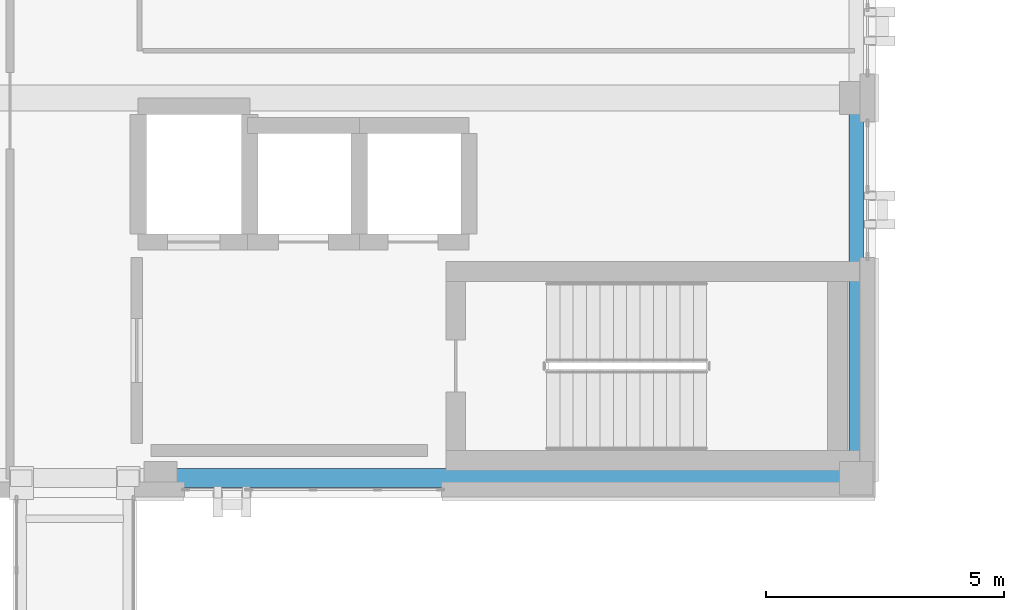
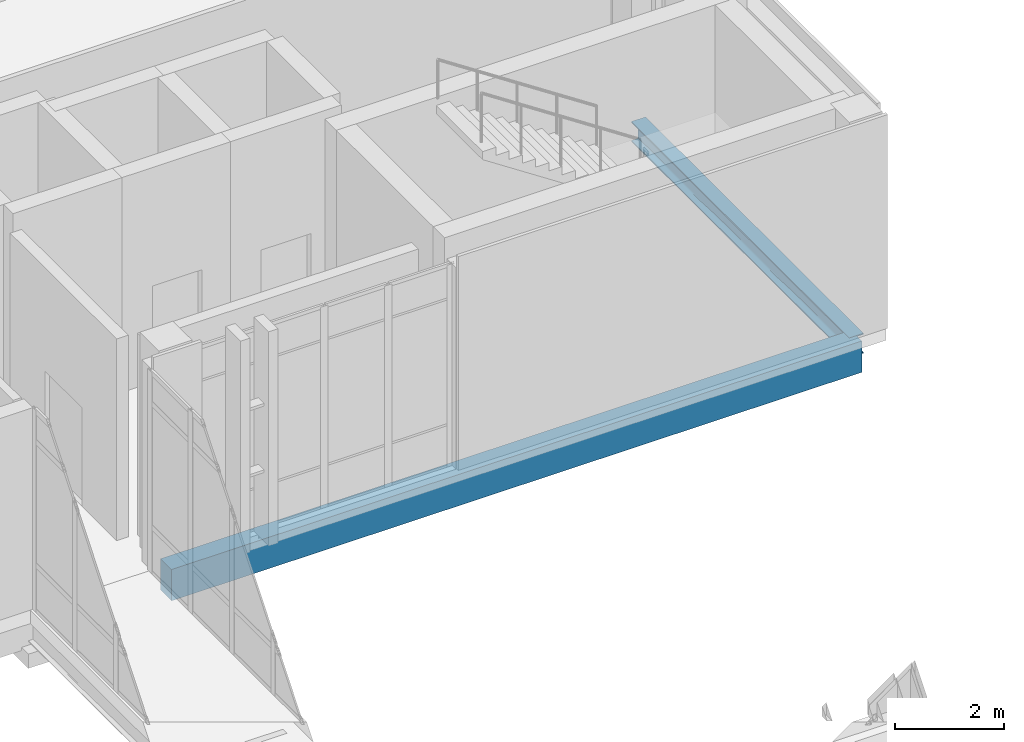
# One storey, part 62 of 189: 2 beams.
"""IFC4 building model written with IfcOpenShell, lengths in metres."""

from ifc_helpers import new_model, si_unit, direction, frame, origin, origin_2d, place, context, subcontext, project, spatial, rectangle, i_section, extrude, material, material_profile, profile_set, type_object, element, save


model = new_model("IFC4")

# Units and contexts
model_context = context("Model", 3, precision=1e-05, world=origin(), true_north=direction((0.0, 1.0)))
body_context = subcontext(model_context, "Body", "Model", "MODEL_VIEW")
ifc_project = project(units=[si_unit("LENGTHUNIT", "METRE"), si_unit("AREAUNIT", "SQUARE_METRE"), si_unit("VOLUMEUNIT", "CUBIC_METRE"), si_unit("PLANEANGLEUNIT", "RADIAN"), si_unit("MASSUNIT", "GRAM", prefix="KILO")], contexts=[model_context])

# Site, building, storey
site_placement = place(None, origin())
site = spatial("IfcSite", under=ifc_project, at=site_placement, CompositionType="ELEMENT")
building_placement = place(site_placement, origin())
building = spatial("IfcBuilding", under=site, at=building_placement, Name="Qalavern Law Courts", CompositionType="ELEMENT")
storey_placement = place(building_placement, frame((0.0, 0.0, 5.39990234375)))
storey = spatial("IfcBuildingStorey", under=building, at=storey_placement, Name="L01", CompositionType="ELEMENT", Elevation=5.39990234375)

# Beams
ifc_material_1 = material(Name="Steel S355", Category="steel")
ifc_material_profile_1 = material_profile(ifc_material_1, i_section(OverallWidth=0.300048828125, OverallDepth=0.449951171875, WebThickness=0.013916015625, FlangeThickness=0.02587890625, FilletRadius=0.027099609375, at=origin_2d()), Name="HEB 450")
ifc_profile_set_1 = profile_set([ifc_material_profile_1], Name="Steel S355")
beam_type_1 = type_object("IfcBeamType", Name="STR-SP-HEB450", PredefinedType="SPANDREL", material=ifc_profile_set_1)
beam_1_placement = place(storey_placement, frame((106.39990234375, 41.419921875, -0.52490234375), z_axis=(0.0, 1.0, 0.0), x_axis=(-1.0, 0.0, 0.0)))
element("IfcBeam", 1, at=beam_1_placement, inside=storey, type_object=beam_type_1, Name="V4 Y-beam 3-1 L01", PredefinedType="SPANDREL", context=body_context, shape_type="SweptSolid", body=[
    extrude(i_section(OverallWidth=0.300048828125, OverallDepth=0.449951171875, WebThickness=0.013916015625, FlangeThickness=0.02587890625, FilletRadius=0.027099609375, at=origin_2d()), origin(), (0.0, 0.0, 1.0), 7.97998046875),
])
ifc_material_2 = material(Name="Concrete C40/50", Category="concrete")
ifc_material_profile_2 = material_profile(ifc_material_2, rectangle(XDim=0.39990234375, YDim=0.699951171875, at=origin_2d()), Name="RC 400x700")
ifc_profile_set_2 = profile_set([ifc_material_profile_2], Name="Concrete C40/50")
beam_type_2 = type_object("IfcBeamType", Name="STR-SP-RC400x700", PredefinedType="SPANDREL", material=ifc_profile_set_2)
beam_2_placement = place(storey_placement, frame((91.800048828125, 41.419921875, -0.64990234375), z_axis=(1.0, 0.0, 0.0), x_axis=(0.0, 1.0, 0.0)))
element("IfcBeam", 2, at=beam_2_placement, inside=storey, type_object=beam_type_2, Name="V4 X-beam 1-2 L01", PredefinedType="SPANDREL", context=body_context, shape_type="SweptSolid", body=[
    extrude(rectangle(XDim=0.39990234375, YDim=0.699951171875, at=origin_2d()), origin(), (0.0, 0.0, 1.0), 14.599853515625),
])

save(model, "model.ifc")
